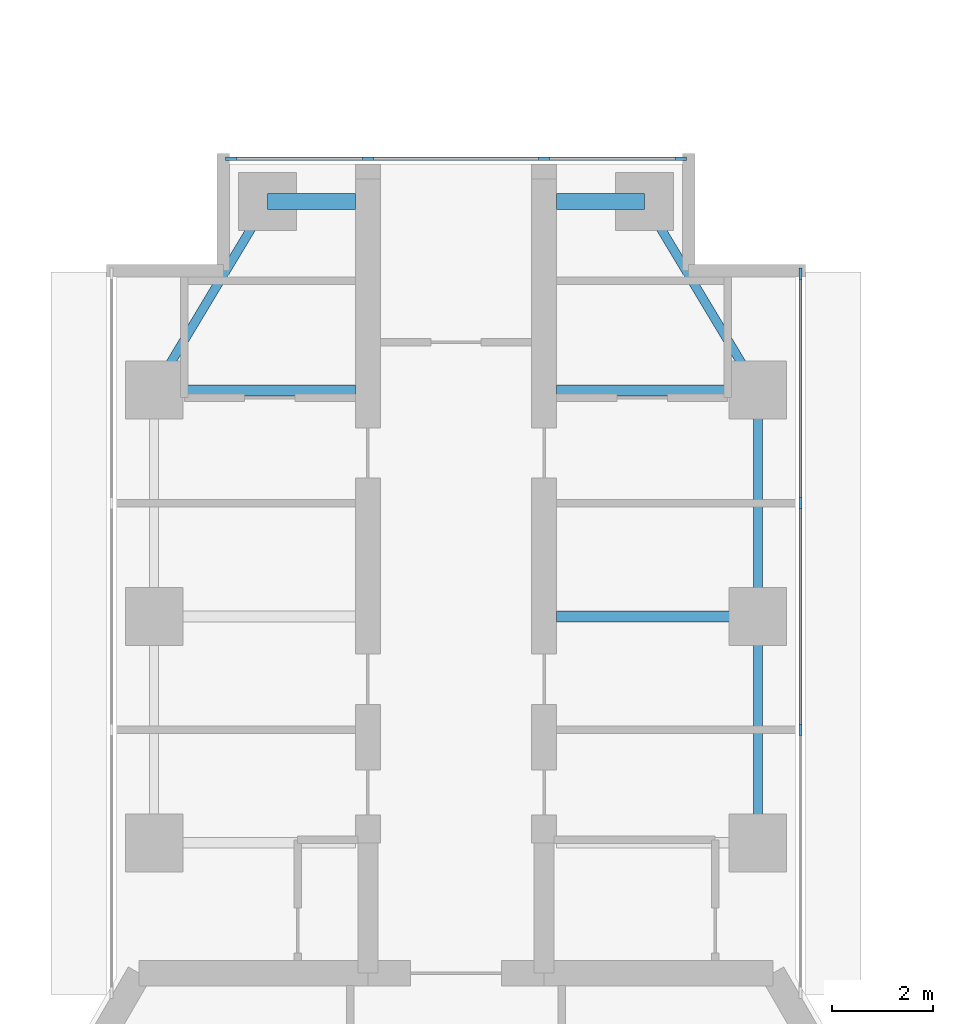
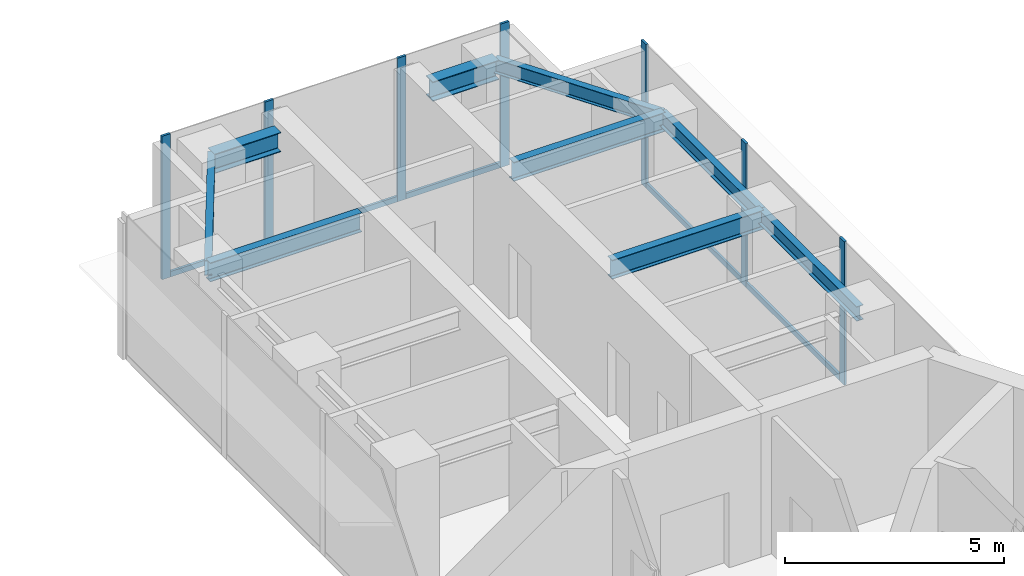
# One storey, part 9 of 17: 12 members, 9 beams, 2 elements without a shape of their own.
"""IFC4 building model written with IfcOpenShell, lengths in metres."""

import ifcopenshell
import ifcopenshell.guid

model = None  # the IFC model being written
_history = None  # IfcOwnerHistory: only IFC2X3 demands one
_inside = {}  # id of a spatial element -> (the spatial element, [elements in it])
_under = {}  # id of a project, library or spatial element -> (it, [spatial elements below it])
_declared = {}  # id of a project -> (the project, [libraries it declares])
_typed = {}  # id of a type object -> (the type object, [elements of that type])
_made_of = {}  # id of a material, layer set ... -> (it, [elements and type objects made of it])


def new_model(schema):
    """Start an empty IFC model of exactly this schema.

    Asked for "IFC4X3", IfcOpenShell would pick the latest addendum, in which some entities
    have other attributes; the version numbers below select the first issue.
    IFC2X3 requires an IfcOwnerHistory on every rooted entity: one is made here for all.
    """
    global model, _history
    if schema == "IFC4X3":
        model = ifcopenshell.file(schema_version=(4, 3, 0, 0))
    else:
        model = ifcopenshell.file(schema=schema)
    _inside.clear()
    _under.clear()
    _declared.clear()
    _typed.clear()
    _made_of.clear()
    _history = None
    if model.schema == "IFC2X3":
        org = make("IfcOrganization", Name="unknown")
        user = make(
            "IfcPersonAndOrganization",
            ThePerson=make("IfcPerson", FamilyName="unknown"),
            TheOrganization=org,
        )
        app = make(
            "IfcApplication",
            ApplicationDeveloper=org,
            Version="unknown",
            ApplicationFullName="unknown",
            ApplicationIdentifier="unknown",
        )
        _history = make(
            "IfcOwnerHistory",
            OwningUser=user,
            OwningApplication=app,
            ChangeAction="ADDED",
            CreationDate=0,
        )
    return model


def make(cls, **values):
    """One entity of the class cls with the attributes given. An attribute that is None is left unset."""
    return model.create_entity(
        cls, **{name: value for name, value in values.items() if value is not None}
    )


def rooted(cls, **values):
    """An entity with a GlobalId (a new one), such as an element, a storey or a relation."""
    return make(cls, GlobalId=ifcopenshell.guid.new(), OwnerHistory=_history, **values)


def si_unit(unit_type, name, prefix=None):
    """IfcSIUnit, for example si_unit("LENGTHUNIT", "METRE", prefix="MILLI")."""
    return make("IfcSIUnit", UnitType=unit_type, Prefix=prefix, Name=name)


def assignment(units):
    """IfcUnitAssignment: the units of a project."""
    return None if units is None else make("IfcUnitAssignment", Units=units)


def point(xyz):
    """IfcCartesianPoint."""
    return None if xyz is None else make("IfcCartesianPoint", Coordinates=xyz)


def direction(xyz):
    """IfcDirection."""
    return None if xyz is None else make("IfcDirection", DirectionRatios=xyz)


def frame(location, z_axis=None, x_axis=None):
    """IfcAxis2Placement3D, a coordinate frame: its origin and axes. An axis left out is left unset."""
    return make(
        "IfcAxis2Placement3D",
        Location=point(location),
        Axis=direction(z_axis),
        RefDirection=direction(x_axis),
    )


def frame_2d(location, x_axis=None):
    """IfcAxis2Placement2D, a coordinate frame in the plane: its origin and x axis."""
    return make(
        "IfcAxis2Placement2D", Location=point(location), RefDirection=direction(x_axis)
    )


def origin():
    """The frame at (0, 0, 0) with its axes left unset."""
    return frame((0.0, 0.0, 0.0))


def origin_2d():
    """The frame at (0, 0) in the plane with its x axis left unset."""
    return frame_2d((0.0, 0.0))


def place(relative_to, where):
    """IfcLocalPlacement: puts the frame where relative to a parent placement (None: the world)."""
    return make(
        "IfcLocalPlacement", PlacementRelTo=relative_to, RelativePlacement=where
    )


def context(
    kind, dimensions, precision=None, world=None, true_north=None, identifier=None
):
    """IfcGeometricRepresentationContext, for example the 3D "Model" context."""
    return make(
        "IfcGeometricRepresentationContext",
        ContextIdentifier=identifier,
        ContextType=kind,
        CoordinateSpaceDimension=dimensions,
        Precision=precision,
        WorldCoordinateSystem=world,
        TrueNorth=true_north,
    )


def subcontext(parent, identifier, kind, view, scale=None):
    """IfcGeometricRepresentationSubContext, for example "Body" below "Model"."""
    return make(
        "IfcGeometricRepresentationSubContext",
        ContextIdentifier=identifier,
        ContextType=kind,
        ParentContext=parent,
        TargetScale=scale,
        TargetView=view,
    )


def project(units=None, contexts=None):
    """IfcProject with its units and contexts."""
    return rooted(
        "IfcProject",
        Name="project",
        RepresentationContexts=contexts,
        UnitsInContext=assignment(units),
    )


def spatial(cls, under=None, at=None, **own):
    """A site, building, storey or space (cls), placed at a placement, below another one or the project."""
    s = rooted(cls, ObjectPlacement=at, **own)
    if under is not None:
        _under.setdefault(under.id(), (under, []))[1].append(s)
    return s


def profile(cls, at=None, kind="AREA", **sizes):
    """A parametric profile (cls). Its sizes go by their IFC names, for example OverallWidth=200.0."""
    return make(cls, ProfileType=kind, Position=at, **sizes)


def rectangle(**sizes):
    """IfcRectangleProfileDef."""
    return profile("IfcRectangleProfileDef", **sizes)


def i_section(**sizes):
    """IfcIShapeProfileDef."""
    return profile("IfcIShapeProfileDef", **sizes)


def extrude(swept, where, along, depth):
    """IfcExtrudedAreaSolid: the profile swept, set in the frame where, extruded along a direction by depth."""
    return make(
        "IfcExtrudedAreaSolid",
        SweptArea=swept,
        Position=where,
        ExtrudedDirection=direction(along),
        Depth=depth,
    )


def shape(context_of_items, identifier, shape_type, items):
    """IfcShapeRepresentation: the items that make up one representation, for example the "Body"."""
    return make(
        "IfcShapeRepresentation",
        ContextOfItems=context_of_items,
        RepresentationIdentifier=identifier,
        RepresentationType=shape_type,
        Items=items,
    )


def material(Name=None, Category=None):
    """IfcMaterial."""
    return make("IfcMaterial", Name=Name, Category=Category)


def material_profile(
    of_material, cross_section, Name=None, Category=None, Priority=None
):
    """IfcMaterialProfile: a cross section and its material."""
    return make(
        "IfcMaterialProfile",
        Name=Name,
        Material=of_material,
        Profile=cross_section,
        Priority=Priority,
        Category=Category,
    )


def profile_set(profiles, Name=None, composite=None):
    """IfcMaterialProfileSet."""
    return make(
        "IfcMaterialProfileSet",
        Name=Name,
        MaterialProfiles=profiles,
        CompositeProfile=composite,
    )


def made_of(thing, what):
    """Note that an element or type object is made of a material, layer set ...; save() writes the relation."""
    if what is not None:
        _made_of.setdefault(what.id(), (what, []))[1].append(thing)
    return thing


def type_object(cls, material=None, **own):
    """A type object (cls), such as IfcWallType, which elements share."""
    return made_of(rooted(cls, **own), material)


def element(
    cls,
    number,
    at=None,
    inside=None,
    cuts=None,
    type_object=None,
    material=None,
    context=None,
    identifier="Body",
    shape_type=None,
    held_by="IfcProductDefinitionShape",
    body=None,
    shapes=None,
    **own,
):
    """One element of the class cls, such as IfcWall. Its Tag is "e" and its number.

    at: its placement. inside: the storey or other place that contains it. cuts: it is an
    opening in that element (IfcRelVoidsElement). A single representation is given by context,
    identifier, shape_type and body (its items); several are given by shapes. held_by: the class
    of the entity that holds the representations. save() writes the other relations.
    """
    e = rooted(cls, Tag="e%d" % number, ObjectPlacement=at, **own)
    if body is not None:
        shapes = [shape(context, identifier, shape_type, body)]
    if shapes is not None:
        e.Representation = make(held_by, Representations=shapes)
    if inside is not None:
        _inside.setdefault(inside.id(), (inside, []))[1].append(e)
    if cuts is not None:
        rooted(
            "IfcRelVoidsElement", RelatingBuildingElement=cuts, RelatedOpeningElement=e
        )
    if type_object is not None:
        _typed.setdefault(type_object.id(), (type_object, []))[1].append(e)
    return made_of(e, material)


def aggregate(whole, parts):
    """IfcRelAggregates: a whole, such as a stair, and the parts it consists of."""
    return rooted("IfcRelAggregates", RelatingObject=whole, RelatedObjects=parts)


def save(model, path):
    """Write the relations noted so far, then the file.

    IfcRelAggregates (storeys below a building ...), IfcRelContainedInSpatialStructure (elements
    in a storey), IfcRelDefinesByType, IfcRelAssociatesMaterial and IfcRelDeclares: one each for
    every whole, place, type object, material and project.
    """
    for whole, parts in _under.values():
        aggregate(whole, parts)
    for where, things in _inside.values():
        rooted(
            "IfcRelContainedInSpatialStructure",
            RelatedElements=things,
            RelatingStructure=where,
        )
    for kind, things in _typed.values():
        rooted("IfcRelDefinesByType", RelatedObjects=things, RelatingType=kind)
    for what, things in _made_of.values():
        rooted("IfcRelAssociatesMaterial", RelatedObjects=things, RelatingMaterial=what)
    for by, libraries in _declared.values():
        rooted("IfcRelDeclares", RelatingContext=by, RelatedDefinitions=libraries)
    model.write(path)


model = new_model("IFC4")

# Units and contexts
model_context = context("Model", 3, precision=1e-05, world=origin(), true_north=direction((0.0, 1.0)))
body_context = subcontext(model_context, "Body", "Model", "MODEL_VIEW")
ifc_project = project(units=[si_unit("LENGTHUNIT", "METRE"), si_unit("AREAUNIT", "SQUARE_METRE"), si_unit("VOLUMEUNIT", "CUBIC_METRE"), si_unit("PLANEANGLEUNIT", "RADIAN"), si_unit("MASSUNIT", "GRAM", prefix="KILO")], contexts=[model_context])

# Site, building, storey
site_placement = place(None, origin())
site = spatial("IfcSite", under=ifc_project, at=site_placement, CompositionType="ELEMENT")
building_placement = place(site_placement, origin())
building = spatial("IfcBuilding", under=site, at=building_placement, Name="Upepo Twin Towers", CompositionType="ELEMENT")
storey_placement = place(building_placement, frame((0.0, 0.0, 214.5)))
storey = spatial("IfcBuildingStorey", under=building, at=storey_placement, Name="L52", CompositionType="ELEMENT", Elevation=214.5)

# Beams
ifc_material_1 = material(Name="Steel S355", Category="steel")
ifc_material_profile_1 = material_profile(ifc_material_1, i_section(OverallWidth=0.177978515625, OverallDepth=0.406494140625, WebThickness=0.0078125, FlangeThickness=0.0126953125, FilletRadius=0.01025390625, at=origin_2d()), Name="UB 406x178x60")
ifc_profile_set_1 = profile_set([ifc_material_profile_1], Name="Steel S355")
beam_type_1 = type_object("IfcBeamType", Name="Beam UB 406x178x60", PredefinedType="BEAM", material=ifc_profile_set_1)
beam_1_placement = place(storey_placement, frame((52.5, 4.5, 3.5966796875), z_axis=(0.514495755428, 0.857492925713, 0.0), x_axis=(-0.857492925713, 0.514495755428, 0.0)))
element("IfcBeam", 1, at=beam_1_placement, inside=storey, type_object=beam_type_1, Name="T2 nose edge beam AL", PredefinedType="BEAM", context=body_context, shape_type="SweptSolid", body=[
    extrude(i_section(OverallWidth=0.177978515625, OverallDepth=0.406494140625, WebThickness=0.0078125, FlangeThickness=0.0126953125, FilletRadius=0.01025390625, at=origin_2d()), origin(), (0.0, 0.0, 1.0), 4.373291015625),
])
for number, where, z_axis, x_axis, name in (
    (2, (64.5, -4.5, 3.5966796875), (0.0, 1.0, 0.0), (-1.0, 0.0, 0.0), "T2 edge beam AR 13.5-18.0"),
    (3, (64.5, 0.0, 3.5966796875), (0.0, 1.0, 0.0), (-1.0, 0.0, 0.0), "T2 edge beam AR 18.0-22.5"),
):
    element("IfcBeam", number, at=place(storey_placement, frame(where, z_axis=z_axis, x_axis=x_axis)), inside=storey, type_object=beam_type_1, Name=name, PredefinedType="BEAM", context=body_context, shape_type="SweptSolid", body=[
        extrude(i_section(OverallWidth=0.177978515625, OverallDepth=0.406494140625, WebThickness=0.0078125, FlangeThickness=0.0126953125, FilletRadius=0.01025390625, at=origin_2d()), origin(), (0.0, 0.0, 1.0), 4.5),
    ])
beam_2_placement = place(storey_placement, frame((64.5, 4.5, 3.5966796875), z_axis=(-0.514495755428, 0.857492925713, 0.0), x_axis=(-0.857492925713, -0.514495755428, 0.0)))
element("IfcBeam", 4, at=beam_2_placement, inside=storey, type_object=beam_type_1, Name="T2 nose edge beam AR", PredefinedType="BEAM", context=body_context, shape_type="SweptSolid", body=[
    extrude(i_section(OverallWidth=0.177978515625, OverallDepth=0.406494140625, WebThickness=0.0078125, FlangeThickness=0.0126953125, FilletRadius=0.01025390625, at=origin_2d()), origin(), (0.0, 0.0, 1.0), 4.373291015625),
])
ifc_material_2 = material(Name="Steel S355", Category="steel")
ifc_material_profile_2 = material_profile(ifc_material_2, i_section(OverallWidth=0.209228515625, OverallDepth=0.533203125, WebThickness=0.010009765625, FlangeThickness=0.015625, FilletRadius=0.0126953125, at=origin_2d()), Name="UB 533x210x92")
ifc_profile_set_2 = profile_set([ifc_material_profile_2], Name="Steel S355")
beam_type_2 = type_object("IfcBeamType", Name="Beam UB 533x210x92", PredefinedType="BEAM", material=ifc_profile_set_2)
for number, where, z_axis, x_axis, name in (
    (5, (52.5, 4.5, 3.533447265625), (1.0, 0.0, 0.0), (0.0, 1.0, 0.0), "T2 girder AL at 22.5"),
    (6, (64.5, 0.0, 3.533447265625), (-1.0, 0.0, 0.0), (0.0, -1.0, 0.0), "T2 girder AR at 18.0"),
    (7, (64.5, 4.5, 3.533447265625), (-1.0, 0.0, 0.0), (0.0, -1.0, 0.0), "T2 girder AR at 22.5"),
):
    element("IfcBeam", number, at=place(storey_placement, frame(where, z_axis=z_axis, x_axis=x_axis)), inside=storey, type_object=beam_type_2, Name=name, PredefinedType="BEAM", context=body_context, shape_type="SweptSolid", body=[
        extrude(i_section(OverallWidth=0.209228515625, OverallDepth=0.533203125, WebThickness=0.010009765625, FlangeThickness=0.015625, FilletRadius=0.0126953125, at=origin_2d()), origin(), (0.0, 0.0, 1.0), 4.0),
    ])
ifc_material_3 = material(Name="Steel S355", Category="steel")
ifc_material_profile_3 = material_profile(ifc_material_3, i_section(OverallWidth=0.31201171875, OverallDepth=0.54345703125, WebThickness=0.0126953125, FlangeThickness=0.020263671875, FilletRadius=0.0126953125, at=origin_2d()), Name="UB 533x312x150")
ifc_profile_set_3 = profile_set([ifc_material_profile_3], Name="Steel S355")
beam_type_3 = type_object("IfcBeamType", Name="Beam UB 533x312x150", PredefinedType="BEAM", material=ifc_profile_set_3)
for number, where, z_axis, x_axis, name in (
    (8, (54.75, 8.25, 3.5283203125), (1.0, 0.0, 0.0), (0.0, 1.0, 0.0), "T2 nose beam AL"),
    (9, (62.25, 8.25, 3.5283203125), (-1.0, 0.0, 0.0), (0.0, -1.0, 0.0), "T2 nose beam AR"),
):
    element("IfcBeam", number, at=place(storey_placement, frame(where, z_axis=z_axis, x_axis=x_axis)), inside=storey, type_object=beam_type_3, Name=name, PredefinedType="BEAM", context=body_context, shape_type="SweptSolid", body=[
        extrude(i_section(OverallWidth=0.31201171875, OverallDepth=0.54345703125, WebThickness=0.0126953125, FlangeThickness=0.020263671875, FilletRadius=0.0126953125, at=origin_2d()), origin(), (0.0, 0.0, 1.0), 1.75),
    ])

# Curtain wall, members
ifc_material_4 = material(Name="Aluminium and fritted glass", Category="aluminium")
curtain_wall_type = type_object("IfcCurtainWallType", Name="Tower curtain wall TW3, fritted glass", PredefinedType="NOTDEFINED", material=ifc_material_4)
curtain_wall_1_placement = place(storey_placement, origin())
curtain_wall_1 = element("IfcCurtainWall", 10, at=curtain_wall_1_placement, inside=storey, type_object=curtain_wall_type, Name="T2 L52 wing A flank R curtain wall", PredefinedType="NOTDEFINED")
ifc_material_5 = material(Name="Aluminium mullion", Category="aluminium")
ifc_material_profile_4 = material_profile(ifc_material_5, rectangle(XDim=0.06494140625, YDim=0.22509765625, at=origin_2d()), Name="MULLION 65x225")
ifc_profile_set_4 = profile_set([ifc_material_profile_4], Name="Aluminium mullion")
member_type_1 = type_object("IfcMemberType", Name="Mullion 65x225 TW3", PredefinedType="MULLION", material=ifc_profile_set_4)
member_1_placement = place(storey_placement, frame((65.35009765625, 6.8173828125, 0.0), z_axis=(0.0, 0.0, 1.0), x_axis=(1.0, 0.0, 0.0)))
member_1 = element("IfcMember", 11, at=member_1_placement, type_object=member_type_1, Name="T2 L52 wing A flank R curtain wall mullion 1", PredefinedType="MULLION", context=body_context, shape_type="SweptSolid", body=[
    extrude(rectangle(XDim=0.06494140625, YDim=0.22509765625, at=origin_2d()), origin(), (0.0, 0.0, 1.0), 4.0),
])
member_2_placement = place(storey_placement, frame((65.35009765625, 2.25, 0.0), z_axis=(0.0, 0.0, 1.0), x_axis=(1.0, 0.0, 0.0)))
member_2 = element("IfcMember", 12, at=member_2_placement, type_object=member_type_1, Name="T2 L52 wing A flank R curtain wall mullion 2", PredefinedType="MULLION", context=body_context, shape_type="SweptSolid", body=[
    extrude(rectangle(XDim=0.06494140625, YDim=0.22509765625, at=origin_2d()), origin(), (0.0, 0.0, 1.0), 4.0),
])
member_3_placement = place(storey_placement, frame((65.35009765625, -2.25, 0.0), z_axis=(0.0, 0.0, 1.0), x_axis=(1.0, 0.0, 0.0)))
member_3 = element("IfcMember", 13, at=member_3_placement, type_object=member_type_1, Name="T2 L52 wing A flank R curtain wall mullion 3", PredefinedType="MULLION", context=body_context, shape_type="SweptSolid", body=[
    extrude(rectangle(XDim=0.06494140625, YDim=0.22509765625, at=origin_2d()), origin(), (0.0, 0.0, 1.0), 4.0),
])

curtain_wall_2_placement = place(storey_placement, origin())
curtain_wall_2 = element("IfcCurtainWall", 14, at=curtain_wall_2_placement, inside=storey, type_object=curtain_wall_type, Name="T2 L52 wing A nose curtain wall", PredefinedType="NOTDEFINED")
member_4_placement = place(storey_placement, frame((62.967529296875, 9.10009765625, 0.0), z_axis=(0.0, 0.0, 1.0), x_axis=(0.0, -1.0, 0.0)))
member_4 = element("IfcMember", 15, at=member_4_placement, type_object=member_type_1, Name="T2 L52 wing A nose curtain wall mullion 1", PredefinedType="MULLION", context=body_context, shape_type="SweptSolid", body=[
    extrude(rectangle(XDim=0.06494140625, YDim=0.22509765625, at=origin_2d()), origin(), (0.0, 0.0, 1.0), 4.0),
])
member_5_placement = place(storey_placement, frame((60.25, 9.10009765625, 0.0), z_axis=(0.0, 0.0, 1.0), x_axis=(0.0, -1.0, 0.0)))
member_5 = element("IfcMember", 16, at=member_5_placement, type_object=member_type_1, Name="T2 L52 wing A nose curtain wall mullion 2", PredefinedType="MULLION", context=body_context, shape_type="SweptSolid", body=[
    extrude(rectangle(XDim=0.06494140625, YDim=0.22509765625, at=origin_2d()), origin(), (0.0, 0.0, 1.0), 4.0),
])
member_6_placement = place(storey_placement, frame((56.75, 9.10009765625, 0.0), z_axis=(0.0, 0.0, 1.0), x_axis=(0.0, -1.0, 0.0)))
member_6 = element("IfcMember", 17, at=member_6_placement, type_object=member_type_1, Name="T2 L52 wing A nose curtain wall mullion 3", PredefinedType="MULLION", context=body_context, shape_type="SweptSolid", body=[
    extrude(rectangle(XDim=0.06494140625, YDim=0.22509765625, at=origin_2d()), origin(), (0.0, 0.0, 1.0), 4.0),
])
member_7_placement = place(storey_placement, frame((54.032470703125, 9.10009765625, 0.0), z_axis=(0.0, 0.0, 1.0), x_axis=(0.0, -1.0, 0.0)))
member_7 = element("IfcMember", 18, at=member_7_placement, type_object=member_type_1, Name="T2 L52 wing A nose curtain wall mullion 4", PredefinedType="MULLION", context=body_context, shape_type="SweptSolid", body=[
    extrude(rectangle(XDim=0.06494140625, YDim=0.22509765625, at=origin_2d()), origin(), (0.0, 0.0, 1.0), 4.0),
])

# Member
ifc_material_6 = material(Name="Aluminium transom", Category="aluminium")
ifc_material_profile_5 = material_profile(ifc_material_6, rectangle(XDim=0.06494140625, YDim=0.14990234375, at=origin_2d()), Name="TRANSOM 65x150")
ifc_profile_set_5 = profile_set([ifc_material_profile_5], Name="Aluminium transom")
member_type_2 = type_object("IfcMemberType", Name="Transom 65x150 TW3", PredefinedType="USERDEFINED", material=ifc_profile_set_5)
member_8_placement = place(storey_placement, frame((65.35009765625, 6.784912109375, 0.074951171875), z_axis=(0.0, -1.0, 0.0), x_axis=(1.0, 0.0, 0.0)))
member_8 = element("IfcMember", 19, at=member_8_placement, type_object=member_type_2, Name="T2 L52 wing A flank R curtain wall transom 1", ObjectType="TRANSOM", PredefinedType="USERDEFINED", context=body_context, shape_type="SweptSolid", body=[
    extrude(rectangle(XDim=0.06494140625, YDim=0.14990234375, at=origin_2d()), origin(), (0.0, 0.0, 1.0), 4.50244140625),
])

member_9_placement = place(storey_placement, frame((65.35009765625, 2.217529296875, 0.074951171875), z_axis=(0.0, -1.0, 0.0), x_axis=(1.0, 0.0, 0.0)))
member_9 = element("IfcMember", 20, at=member_9_placement, type_object=member_type_2, Name="T2 L52 wing A flank R curtain wall transom 2", ObjectType="TRANSOM", PredefinedType="USERDEFINED", context=body_context, shape_type="SweptSolid", body=[
    extrude(rectangle(XDim=0.06494140625, YDim=0.14990234375, at=origin_2d()), origin(), (0.0, 0.0, 1.0), 4.43505859375),
])

aggregate(curtain_wall_1, [member_1, member_2, member_3, member_8, member_9])

member_10_placement = place(storey_placement, frame((62.93505859375, 9.10009765625, 0.074951171875), z_axis=(-1.0, 0.0, 0.0), x_axis=(0.0, -1.0, 0.0)))
member_10 = element("IfcMember", 21, at=member_10_placement, type_object=member_type_2, Name="T2 L52 wing A nose curtain wall transom 1", ObjectType="TRANSOM", PredefinedType="USERDEFINED", context=body_context, shape_type="SweptSolid", body=[
    extrude(rectangle(XDim=0.06494140625, YDim=0.14990234375, at=origin_2d()), origin(), (0.0, 0.0, 1.0), 2.652587890625),
])

member_11_placement = place(storey_placement, frame((60.217529296875, 9.10009765625, 0.074951171875), z_axis=(-1.0, 0.0, 0.0), x_axis=(0.0, -1.0, 0.0)))
member_11 = element("IfcMember", 22, at=member_11_placement, type_object=member_type_2, Name="T2 L52 wing A nose curtain wall transom 2", ObjectType="TRANSOM", PredefinedType="USERDEFINED", context=body_context, shape_type="SweptSolid", body=[
    extrude(rectangle(XDim=0.06494140625, YDim=0.14990234375, at=origin_2d()), origin(), (0.0, 0.0, 1.0), 3.43505859375),
])

member_12_placement = place(storey_placement, frame((56.717529296875, 9.10009765625, 0.074951171875), z_axis=(-1.0, 0.0, 0.0), x_axis=(0.0, -1.0, 0.0)))
member_12 = element("IfcMember", 23, at=member_12_placement, type_object=member_type_2, Name="T2 L52 wing A nose curtain wall transom 3", ObjectType="TRANSOM", PredefinedType="USERDEFINED", context=body_context, shape_type="SweptSolid", body=[
    extrude(rectangle(XDim=0.06494140625, YDim=0.14990234375, at=origin_2d()), origin(), (0.0, 0.0, 1.0), 2.652587890625),
])

aggregate(curtain_wall_2, [member_4, member_5, member_6, member_7, member_10, member_11, member_12])

save(model, "model.ifc")
